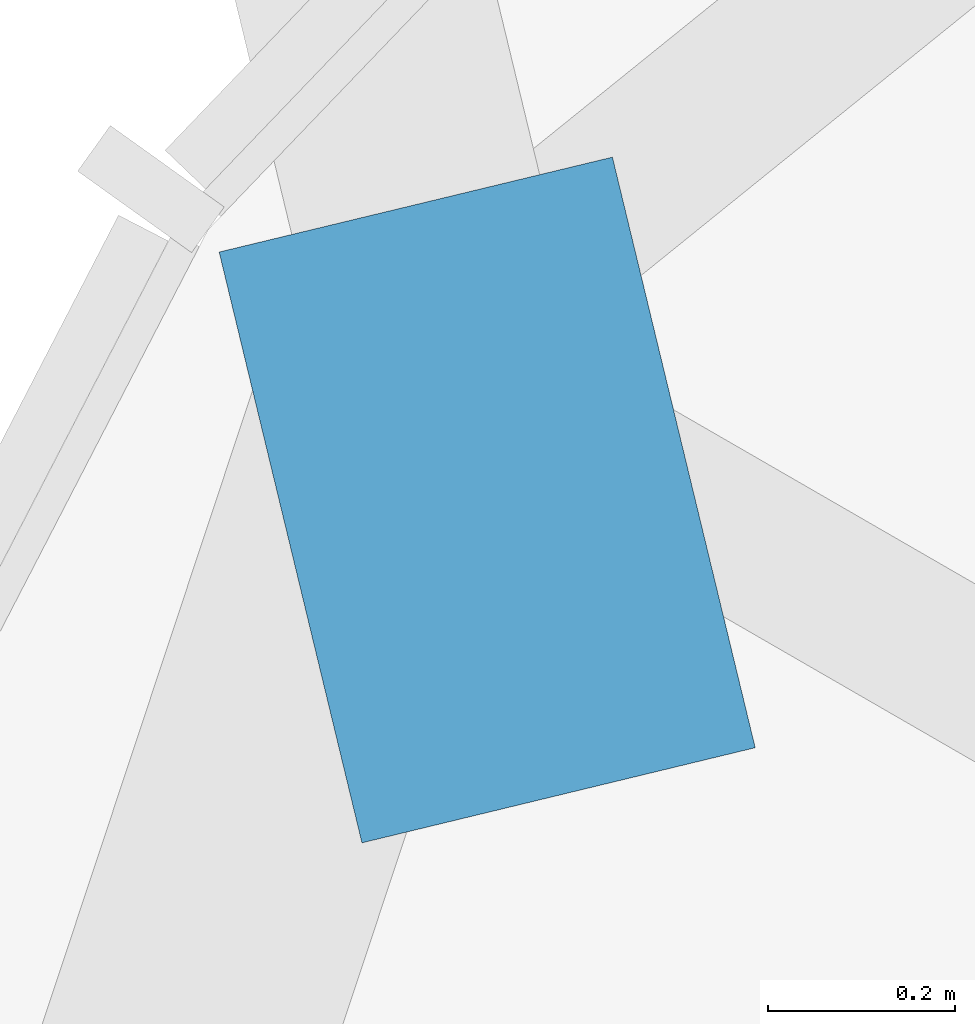
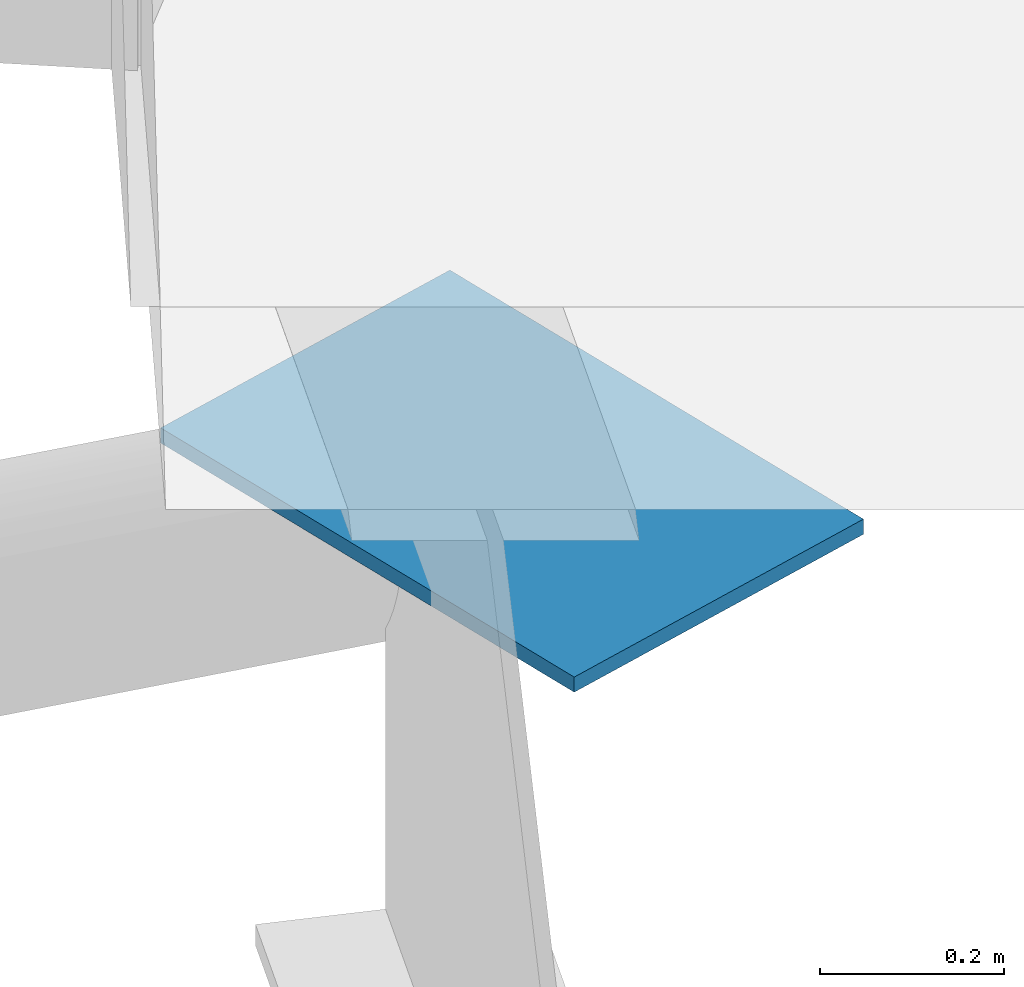
# One storey, part 23 of 31: 1 discrete accessory.
"""IFC4 building model written with IfcOpenShell, lengths in metres."""

import ifcopenshell
import ifcopenshell.guid

model = None  # the IFC model being written
_history = None  # IfcOwnerHistory: only IFC2X3 demands one
_inside = {}  # id of a spatial element -> (the spatial element, [elements in it])
_under = {}  # id of a project, library or spatial element -> (it, [spatial elements below it])
_declared = {}  # id of a project -> (the project, [libraries it declares])
_typed = {}  # id of a type object -> (the type object, [elements of that type])
_made_of = {}  # id of a material, layer set ... -> (it, [elements and type objects made of it])


def new_model(schema):
    """Start an empty IFC model of exactly this schema.

    Asked for "IFC4X3", IfcOpenShell would pick the latest addendum, in which some entities
    have other attributes; the version numbers below select the first issue.
    IFC2X3 requires an IfcOwnerHistory on every rooted entity: one is made here for all.
    """
    global model, _history
    if schema == "IFC4X3":
        model = ifcopenshell.file(schema_version=(4, 3, 0, 0))
    else:
        model = ifcopenshell.file(schema=schema)
    _inside.clear()
    _under.clear()
    _declared.clear()
    _typed.clear()
    _made_of.clear()
    _history = None
    if model.schema == "IFC2X3":
        org = make("IfcOrganization", Name="unknown")
        user = make(
            "IfcPersonAndOrganization",
            ThePerson=make("IfcPerson", FamilyName="unknown"),
            TheOrganization=org,
        )
        app = make(
            "IfcApplication",
            ApplicationDeveloper=org,
            Version="unknown",
            ApplicationFullName="unknown",
            ApplicationIdentifier="unknown",
        )
        _history = make(
            "IfcOwnerHistory",
            OwningUser=user,
            OwningApplication=app,
            ChangeAction="ADDED",
            CreationDate=0,
        )
    return model


def make(cls, **values):
    """One entity of the class cls with the attributes given. An attribute that is None is left unset."""
    return model.create_entity(
        cls, **{name: value for name, value in values.items() if value is not None}
    )


def rooted(cls, **values):
    """An entity with a GlobalId (a new one), such as an element, a storey or a relation."""
    return make(cls, GlobalId=ifcopenshell.guid.new(), OwnerHistory=_history, **values)


def si_unit(unit_type, name, prefix=None):
    """IfcSIUnit, for example si_unit("LENGTHUNIT", "METRE", prefix="MILLI")."""
    return make("IfcSIUnit", UnitType=unit_type, Prefix=prefix, Name=name)


def assignment(units):
    """IfcUnitAssignment: the units of a project."""
    return None if units is None else make("IfcUnitAssignment", Units=units)


def point(xyz):
    """IfcCartesianPoint."""
    return None if xyz is None else make("IfcCartesianPoint", Coordinates=xyz)


def direction(xyz):
    """IfcDirection."""
    return None if xyz is None else make("IfcDirection", DirectionRatios=xyz)


def frame(location, z_axis=None, x_axis=None):
    """IfcAxis2Placement3D, a coordinate frame: its origin and axes. An axis left out is left unset."""
    return make(
        "IfcAxis2Placement3D",
        Location=point(location),
        Axis=direction(z_axis),
        RefDirection=direction(x_axis),
    )


def frame_2d(location, x_axis=None):
    """IfcAxis2Placement2D, a coordinate frame in the plane: its origin and x axis."""
    return make(
        "IfcAxis2Placement2D", Location=point(location), RefDirection=direction(x_axis)
    )


def origin():
    """The frame at (0, 0, 0) with its axes left unset."""
    return frame((0.0, 0.0, 0.0))


def origin_2d():
    """The frame at (0, 0) in the plane with its x axis left unset."""
    return frame_2d((0.0, 0.0))


def place(relative_to, where):
    """IfcLocalPlacement: puts the frame where relative to a parent placement (None: the world)."""
    return make(
        "IfcLocalPlacement", PlacementRelTo=relative_to, RelativePlacement=where
    )


def context(
    kind, dimensions, precision=None, world=None, true_north=None, identifier=None
):
    """IfcGeometricRepresentationContext, for example the 3D "Model" context."""
    return make(
        "IfcGeometricRepresentationContext",
        ContextIdentifier=identifier,
        ContextType=kind,
        CoordinateSpaceDimension=dimensions,
        Precision=precision,
        WorldCoordinateSystem=world,
        TrueNorth=true_north,
    )


def subcontext(parent, identifier, kind, view, scale=None):
    """IfcGeometricRepresentationSubContext, for example "Body" below "Model"."""
    return make(
        "IfcGeometricRepresentationSubContext",
        ContextIdentifier=identifier,
        ContextType=kind,
        ParentContext=parent,
        TargetScale=scale,
        TargetView=view,
    )


def project(units=None, contexts=None):
    """IfcProject with its units and contexts."""
    return rooted(
        "IfcProject",
        Name="project",
        RepresentationContexts=contexts,
        UnitsInContext=assignment(units),
    )


def spatial(cls, under=None, at=None, **own):
    """A site, building, storey or space (cls), placed at a placement, below another one or the project."""
    s = rooted(cls, ObjectPlacement=at, **own)
    if under is not None:
        _under.setdefault(under.id(), (under, []))[1].append(s)
    return s


def polyline(points):
    """IfcPolyline through the points."""
    return make("IfcPolyline", Points=[point(p) for p in points])


def profile(cls, at=None, kind="AREA", **sizes):
    """A parametric profile (cls). Its sizes go by their IFC names, for example OverallWidth=200.0."""
    return make(cls, ProfileType=kind, Position=at, **sizes)


def rectangle(**sizes):
    """IfcRectangleProfileDef."""
    return profile("IfcRectangleProfileDef", **sizes)


def outline(outer, holes=None, kind="AREA"):
    """IfcArbitraryClosedProfileDef: a profile drawn as a closed curve; with holes, ...WithVoids."""
    if holes is None:
        return make("IfcArbitraryClosedProfileDef", ProfileType=kind, OuterCurve=outer)
    return make(
        "IfcArbitraryProfileDefWithVoids",
        ProfileType=kind,
        OuterCurve=outer,
        InnerCurves=holes,
    )


def extrude(swept, where, along, depth):
    """IfcExtrudedAreaSolid: the profile swept, set in the frame where, extruded along a direction by depth."""
    return make(
        "IfcExtrudedAreaSolid",
        SweptArea=swept,
        Position=where,
        ExtrudedDirection=direction(along),
        Depth=depth,
    )


def shape(context_of_items, identifier, shape_type, items):
    """IfcShapeRepresentation: the items that make up one representation, for example the "Body"."""
    return make(
        "IfcShapeRepresentation",
        ContextOfItems=context_of_items,
        RepresentationIdentifier=identifier,
        RepresentationType=shape_type,
        Items=items,
    )


def material(Name=None, Category=None):
    """IfcMaterial."""
    return make("IfcMaterial", Name=Name, Category=Category)


def material_profile(
    of_material, cross_section, Name=None, Category=None, Priority=None
):
    """IfcMaterialProfile: a cross section and its material."""
    return make(
        "IfcMaterialProfile",
        Name=Name,
        Material=of_material,
        Profile=cross_section,
        Priority=Priority,
        Category=Category,
    )


def profile_set(profiles, Name=None, composite=None):
    """IfcMaterialProfileSet."""
    return make(
        "IfcMaterialProfileSet",
        Name=Name,
        MaterialProfiles=profiles,
        CompositeProfile=composite,
    )


def made_of(thing, what):
    """Note that an element or type object is made of a material, layer set ...; save() writes the relation."""
    if what is not None:
        _made_of.setdefault(what.id(), (what, []))[1].append(thing)
    return thing


def type_object(cls, material=None, **own):
    """A type object (cls), such as IfcWallType, which elements share."""
    return made_of(rooted(cls, **own), material)


def element(
    cls,
    number,
    at=None,
    inside=None,
    cuts=None,
    type_object=None,
    material=None,
    context=None,
    identifier="Body",
    shape_type=None,
    held_by="IfcProductDefinitionShape",
    body=None,
    shapes=None,
    **own,
):
    """One element of the class cls, such as IfcWall. Its Tag is "e" and its number.

    at: its placement. inside: the storey or other place that contains it. cuts: it is an
    opening in that element (IfcRelVoidsElement). A single representation is given by context,
    identifier, shape_type and body (its items); several are given by shapes. held_by: the class
    of the entity that holds the representations. save() writes the other relations.
    """
    e = rooted(cls, Tag="e%d" % number, ObjectPlacement=at, **own)
    if body is not None:
        shapes = [shape(context, identifier, shape_type, body)]
    if shapes is not None:
        e.Representation = make(held_by, Representations=shapes)
    if inside is not None:
        _inside.setdefault(inside.id(), (inside, []))[1].append(e)
    if cuts is not None:
        rooted(
            "IfcRelVoidsElement", RelatingBuildingElement=cuts, RelatedOpeningElement=e
        )
    if type_object is not None:
        _typed.setdefault(type_object.id(), (type_object, []))[1].append(e)
    return made_of(e, material)


def aggregate(whole, parts):
    """IfcRelAggregates: a whole, such as a stair, and the parts it consists of."""
    return rooted("IfcRelAggregates", RelatingObject=whole, RelatedObjects=parts)


def save(model, path):
    """Write the relations noted so far, then the file.

    IfcRelAggregates (storeys below a building ...), IfcRelContainedInSpatialStructure (elements
    in a storey), IfcRelDefinesByType, IfcRelAssociatesMaterial and IfcRelDeclares: one each for
    every whole, place, type object, material and project.
    """
    for whole, parts in _under.values():
        aggregate(whole, parts)
    for where, things in _inside.values():
        rooted(
            "IfcRelContainedInSpatialStructure",
            RelatedElements=things,
            RelatingStructure=where,
        )
    for kind, things in _typed.values():
        rooted("IfcRelDefinesByType", RelatedObjects=things, RelatingType=kind)
    for what, things in _made_of.values():
        rooted("IfcRelAssociatesMaterial", RelatedObjects=things, RelatingMaterial=what)
    for by, libraries in _declared.values():
        rooted("IfcRelDeclares", RelatingContext=by, RelatedDefinitions=libraries)
    model.write(path)


model = new_model("IFC4")

# Units and contexts
model_context = context("Model", 3, precision=1e-05, world=origin(), true_north=direction((0.0, 1.0)))
body_context = subcontext(model_context, "Body", "Model", "MODEL_VIEW")
ifc_project = project(units=[si_unit("LENGTHUNIT", "METRE"), si_unit("AREAUNIT", "SQUARE_METRE"), si_unit("VOLUMEUNIT", "CUBIC_METRE"), si_unit("PLANEANGLEUNIT", "RADIAN"), si_unit("MASSUNIT", "GRAM", prefix="KILO")], contexts=[model_context])

# Site, building, storey
site_placement = place(None, origin())
site = spatial("IfcSite", under=ifc_project, at=site_placement, CompositionType="ELEMENT")
building_placement = place(site_placement, origin())
building = spatial("IfcBuilding", under=site, at=building_placement, Name="Rimbun Link Towers", CompositionType="ELEMENT")
storey_placement = place(building_placement, frame((0.0, 0.0, 263.10009765625)))
storey = spatial("IfcBuildingStorey", under=building, at=storey_placement, Name="L64", CompositionType="ELEMENT", Elevation=263.10009765625)

# Discrete accessory
ifc_material = material(Name="Steel S355J2H", Category="steel")
ifc_material_profile = material_profile(ifc_material, rectangle(XDim=0.43310546875, YDim=0.43310546875, at=origin_2d()), Name="PL 433x433")
ifc_profile_set = profile_set([ifc_material_profile], Name="Steel S355J2H")
discrete_accessory_type = type_object("IfcDiscreteAccessoryType", Name="Link head end plate 433X20", PredefinedType="BRACKET", material=ifc_profile_set)
discrete_accessory_placement = place(storey_placement, frame((0.0, 0.0, -0.50341796875)))
element("IfcDiscreteAccessory", 1, at=discrete_accessory_placement, inside=storey, type_object=discrete_accessory_type, Name="Link head end plate T1 L64 10", PredefinedType="BRACKET", context=body_context, shape_type="SweptSolid", body=[
    extrude(outline(polyline([(-47.87158203125, 9.091796875), (-48.0244140625, 9.723876953125), (-48.4453125, 9.622314453125), (-48.29248046875, 8.989990234375), (-47.87158203125, 9.091796875)])), origin(), (0.0, 0.0, 1.0), 0.02001953125),
])

save(model, "model.ifc")
